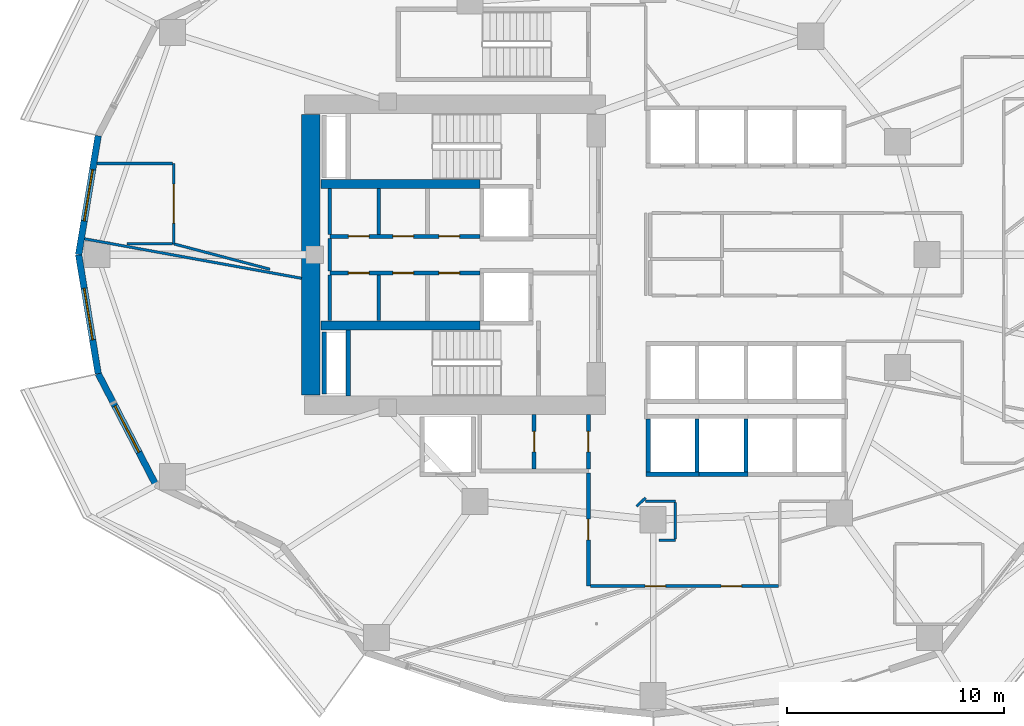
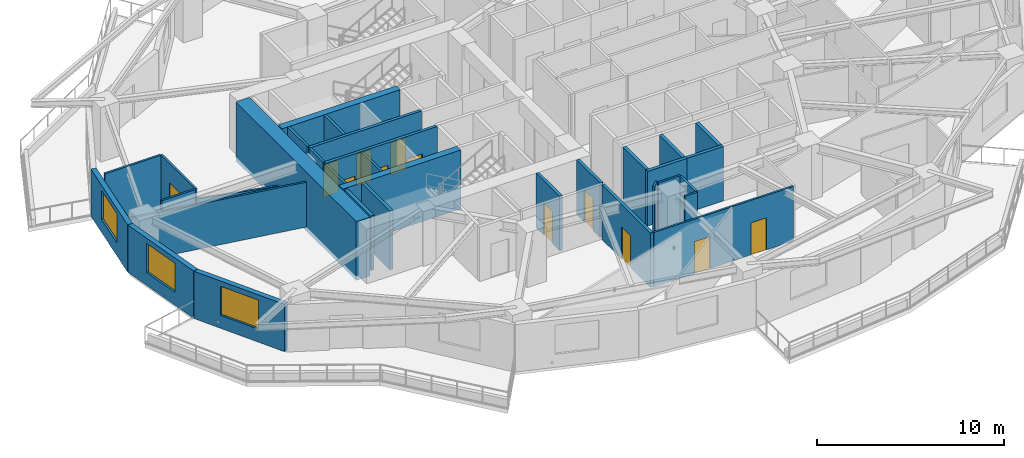
# One storey, part 3 of 15: 33 walls, 12 doors, 3 windows, 15 openings.
"""IFC4 building model written with IfcOpenShell, lengths in metres."""

from ifc_helpers import new_model, si_unit, direction, frame, frame_2d, origin, place, context, subcontext, project, spatial, rectangle, extrude, material, layer, layer_set, type_object, element, fill, save


model = new_model("IFC4")

# Units and contexts
model_context = context("Model", 3, precision=1e-05, world=origin(), true_north=direction((0.0, 1.0)))
body_context = subcontext(model_context, "Body", "Model", "MODEL_VIEW")
ifc_project = project(units=[si_unit("LENGTHUNIT", "METRE"), si_unit("AREAUNIT", "SQUARE_METRE"), si_unit("VOLUMEUNIT", "CUBIC_METRE"), si_unit("PLANEANGLEUNIT", "RADIAN"), si_unit("MASSUNIT", "GRAM", prefix="KILO")], contexts=[model_context])

# Site, building, storey
site_placement = place(None, origin())
site = spatial("IfcSite", under=ifc_project, at=site_placement, CompositionType="ELEMENT")
building_placement = place(site_placement, origin())
building = spatial("IfcBuilding", under=site, at=building_placement, Name="Kolvaren Gate Tower and Convention Centre", CompositionType="ELEMENT")
storey_placement = place(building_placement, frame((0.0, 0.0, 72.699951171875)))
storey = spatial("IfcBuildingStorey", under=building, at=storey_placement, Name="L17", CompositionType="ELEMENT", Elevation=72.699951171875)

# Wall, openings, doors
ifc_material_1 = material(Name="Autoclaved Aerated Masonry Blockwork Class 4 (4.0 MPa)", Category="masonry")
ifc_layer_1 = layer(ifc_material_1, 0.179931640625)
ifc_layer_set_1 = layer_set([ifc_layer_1], Name="Autoclaved Aerated Masonry Blockwork Class 4 (4.0 MPa)")
wall_type_1 = type_object("IfcWallType", Name="ARCH-WL-COMP-180", PredefinedType="SOLIDWALL", material=ifc_layer_set_1)
wall_1_placement = place(storey_placement, frame((15.25, 27.840087890625, 0.0), z_axis=(0.0, 0.0, 1.0), x_axis=(1.0, 0.0, 0.0)))
wall_1 = element("IfcWall", 1, at=wall_1_placement, inside=storey, type_object=wall_type_1, Name="Interior Partition WL-L17-INT-004", PredefinedType="SOLIDWALL", context=body_context, shape_type="SweptSolid", body=[
    extrude(rectangle(XDim=6.89990234375, YDim=0.179931640625, at=frame_2d((3.449951171875, 0.0))), origin(), (0.0, 0.0, 1.0), 3.570068359375),
])
opening_1_placement = place(wall_1_placement, frame((5.02001953125, 0.0, 0.0)))
opening_1 = element("IfcOpeningElement", 2, at=opening_1_placement, cuts=wall_1, Name="Opening DR-01", PredefinedType="OPENING", context=body_context, shape_type="SweptSolid", body=[
    extrude(rectangle(XDim=0.949951171875, YDim=2.10009765625, at=frame_2d((0.47509765625, 1.050048828125))), frame((0.0, 0.099853515625, 0.0), z_axis=(0.0, -1.0, 0.0), x_axis=(1.0, 0.0, 0.0)), (0.0, 0.0, 1.0), 0.199951171875),
])
opening_2_placement = place(wall_1_placement, frame((0.85498046875, 0.0, 0.0)))
opening_2 = element("IfcOpeningElement", 3, at=opening_2_placement, cuts=wall_1, Name="Opening DR-01", PredefinedType="OPENING", context=body_context, shape_type="SweptSolid", body=[
    extrude(rectangle(XDim=0.949951171875, YDim=2.10009765625, at=frame_2d((0.47509765625, 1.050048828125))), frame((0.0, 0.099853515625, 0.0), z_axis=(0.0, -1.0, 0.0), x_axis=(1.0, 0.0, 0.0)), (0.0, 0.0, 1.0), 0.199951171875),
])
opening_3_placement = place(wall_1_placement, frame((2.89990234375, 0.0, 0.0)))
opening_3 = element("IfcOpeningElement", 4, at=opening_3_placement, cuts=wall_1, Name="Opening DR-01", PredefinedType="OPENING", context=body_context, shape_type="SweptSolid", body=[
    extrude(rectangle(XDim=0.949951171875, YDim=2.10009765625, at=frame_2d((0.47509765625, 1.050048828125))), frame((0.0, 0.099853515625, 0.0), z_axis=(0.0, -1.0, 0.0), x_axis=(1.0, 0.0, 0.0)), (0.0, 0.0, 1.0), 0.199951171875),
])
ifc_material_2 = material(Name="Painted Architectural Steelwork ASTM A500 Grade C 345 MPa", Category="steel")
door_type_1 = type_object("IfcDoorType", Name="ARCH-DR-RISER-950", OperationType="SINGLE_SWING_RIGHT", PredefinedType="DOOR", material=ifc_material_2)
door_1_placement = place(opening_1_placement, origin())
door_1 = element("IfcDoor", 5, at=door_1_placement, inside=storey, type_object=door_type_1, Name="Electrical Switchgear Closet Door", OperationType="SINGLE_SWING_LEFT", OverallHeight=2.10009765625, OverallWidth=0.949951171875, PredefinedType="DOOR", context=body_context, shape_type="SweptSolid", body=[
    extrude(rectangle(XDim=0.949951171875, YDim=2.10009765625, at=frame_2d((0.47509765625, 1.050048828125))), frame((0.0, 0.02490234375, 0.0), z_axis=(0.0, -1.0, 0.0), x_axis=(1.0, 0.0, 0.0)), (0.0, 0.0, 1.0), 0.050048828125),
])
fill(opening_1, door_1)
door_2_placement = place(opening_2_placement, origin())
door_2 = element("IfcDoor", 6, at=door_2_placement, inside=storey, type_object=door_type_1, Name="Staff Accessible WC Door", OperationType="SINGLE_SWING_LEFT", OverallHeight=2.10009765625, OverallWidth=0.949951171875, PredefinedType="DOOR", context=body_context, shape_type="SweptSolid", body=[
    extrude(rectangle(XDim=0.949951171875, YDim=2.10009765625, at=frame_2d((0.47509765625, 1.050048828125))), frame((0.0, 0.02490234375, 0.0), z_axis=(0.0, -1.0, 0.0), x_axis=(1.0, 0.0, 0.0)), (0.0, 0.0, 1.0), 0.050048828125),
])
fill(opening_2, door_2)
door_3_placement = place(opening_3_placement, origin())
door_3 = element("IfcDoor", 7, at=door_3_placement, inside=storey, type_object=door_type_1, Name="Housekeeping Sink Closet Door", OperationType="SINGLE_SWING_RIGHT", OverallHeight=2.10009765625, OverallWidth=0.949951171875, PredefinedType="DOOR", context=body_context, shape_type="SweptSolid", body=[
    extrude(rectangle(XDim=0.949951171875, YDim=2.10009765625, at=frame_2d((0.47509765625, 1.050048828125))), frame((0.0, 0.02490234375, 0.0), z_axis=(0.0, -1.0, 0.0), x_axis=(1.0, 0.0, 0.0)), (0.0, 0.0, 1.0), 0.050048828125),
])
fill(opening_3, door_3)

wall_2_placement = place(storey_placement, frame((15.25, 26.159912109375, 0.0), z_axis=(0.0, 0.0, 1.0), x_axis=(1.0, 0.0, 0.0)))
wall_2 = element("IfcWall", 8, at=wall_2_placement, inside=storey, type_object=wall_type_1, Name="Interior Partition WL-L17-INT-005", PredefinedType="SOLIDWALL", context=body_context, shape_type="SweptSolid", body=[
    extrude(rectangle(XDim=6.89990234375, YDim=0.179931640625, at=frame_2d((3.449951171875, 0.0))), origin(), (0.0, 0.0, 1.0), 3.570068359375),
])
opening_4_placement = place(wall_2_placement, frame((5.02001953125, 0.0, 0.0)))
opening_4 = element("IfcOpeningElement", 9, at=opening_4_placement, cuts=wall_2, Name="Opening DR-01", PredefinedType="OPENING", context=body_context, shape_type="SweptSolid", body=[
    extrude(rectangle(XDim=0.949951171875, YDim=2.10009765625, at=frame_2d((0.47509765625, 1.050048828125))), frame((0.0, 0.099853515625, 0.0), z_axis=(0.0, -1.0, 0.0), x_axis=(1.0, 0.0, 0.0)), (0.0, 0.0, 1.0), 0.199951171875),
])
opening_5_placement = place(wall_2_placement, frame((0.85498046875, 0.0, 0.0)))
opening_5 = element("IfcOpeningElement", 10, at=opening_5_placement, cuts=wall_2, Name="Opening DR-01", PredefinedType="OPENING", context=body_context, shape_type="SweptSolid", body=[
    extrude(rectangle(XDim=0.949951171875, YDim=2.10009765625, at=frame_2d((0.47509765625, 1.050048828125))), frame((0.0, 0.099853515625, 0.0), z_axis=(0.0, -1.0, 0.0), x_axis=(1.0, 0.0, 0.0)), (0.0, 0.0, 1.0), 0.199951171875),
])
opening_6_placement = place(wall_2_placement, frame((2.89990234375, 0.0, 0.0)))
opening_6 = element("IfcOpeningElement", 11, at=opening_6_placement, cuts=wall_2, Name="Opening DR-01", PredefinedType="OPENING", context=body_context, shape_type="SweptSolid", body=[
    extrude(rectangle(XDim=0.949951171875, YDim=2.10009765625, at=frame_2d((0.47509765625, 1.050048828125))), frame((0.0, 0.099853515625, 0.0), z_axis=(0.0, -1.0, 0.0), x_axis=(1.0, 0.0, 0.0)), (0.0, 0.0, 1.0), 0.199951171875),
])
door_4_placement = place(opening_4_placement, origin())
door_4 = element("IfcDoor", 12, at=door_4_placement, inside=storey, type_object=door_type_1, Name="Domestic Water Meter Closet Door", OperationType="SINGLE_SWING_RIGHT", OverallHeight=2.10009765625, OverallWidth=0.949951171875, PredefinedType="DOOR", context=body_context, shape_type="SweptSolid", body=[
    extrude(rectangle(XDim=0.949951171875, YDim=2.10009765625, at=frame_2d((0.47509765625, 1.050048828125))), frame((0.0, 0.02490234375, 0.0), z_axis=(0.0, -1.0, 0.0), x_axis=(1.0, 0.0, 0.0)), (0.0, 0.0, 1.0), 0.050048828125),
])
fill(opening_4, door_4)
door_5_placement = place(opening_5_placement, origin())
door_5 = element("IfcDoor", 13, at=door_5_placement, inside=storey, type_object=door_type_1, Name="Beverage Service Pantry Door", OperationType="SINGLE_SWING_LEFT", OverallHeight=2.10009765625, OverallWidth=0.949951171875, PredefinedType="DOOR", context=body_context, shape_type="SweptSolid", body=[
    extrude(rectangle(XDim=0.949951171875, YDim=2.10009765625, at=frame_2d((0.47509765625, 1.050048828125))), frame((0.0, 0.02490234375, 0.0), z_axis=(0.0, -1.0, 0.0), x_axis=(1.0, 0.0, 0.0)), (0.0, 0.0, 1.0), 0.050048828125),
])
fill(opening_5, door_5)
door_6_placement = place(opening_6_placement, origin())
door_6 = element("IfcDoor", 14, at=door_6_placement, inside=storey, type_object=door_type_1, Name="Archive Supply Closet Door", OperationType="SINGLE_SWING_RIGHT", OverallHeight=2.10009765625, OverallWidth=0.949951171875, PredefinedType="DOOR", context=body_context, shape_type="SweptSolid", body=[
    extrude(rectangle(XDim=0.949951171875, YDim=2.10009765625, at=frame_2d((0.47509765625, 1.050048828125))), frame((0.0, 0.02490234375, 0.0), z_axis=(0.0, -1.0, 0.0), x_axis=(1.0, 0.0, 0.0)), (0.0, 0.0, 1.0), 0.050048828125),
])
fill(opening_6, door_6)

# Wall, opening, door
wall_3_placement = place(storey_placement, frame((24.64990234375, 17.14208984375, 0.0), z_axis=(0.0, 0.0, 1.0), x_axis=(0.0, 1.0, 0.0)))
wall_3 = element("IfcWall", 15, at=wall_3_placement, inside=storey, type_object=wall_type_1, Name="Interior Partition WL-L17-INT-013", PredefinedType="SOLIDWALL", context=body_context, shape_type="SweptSolid", body=[
    extrude(rectangle(XDim=2.505859375, YDim=0.179931640625, at=frame_2d((1.2529296875, 0.0))), origin(), (0.0, 0.0, 1.0), 3.570068359375),
])
opening_7_placement = place(wall_3_placement, frame((0.778076171875, 0.0, 0.0)))
opening_7 = element("IfcOpeningElement", 16, at=opening_7_placement, cuts=wall_3, Name="Opening DR-01", PredefinedType="OPENING", context=body_context, shape_type="SweptSolid", body=[
    extrude(rectangle(XDim=0.949951171875, YDim=2.10009765625, at=frame_2d((0.47509765625, 1.050048828125))), frame((0.0, 0.099853515625, 0.0), z_axis=(0.0, -1.0, 0.0), x_axis=(1.0, 0.0, 0.0)), (0.0, 0.0, 1.0), 0.199951171875),
])
door_7_placement = place(opening_7_placement, origin())
door_7 = element("IfcDoor", 17, at=door_7_placement, inside=storey, type_object=door_type_1, Name="West Valet Store Door", OperationType="SINGLE_SWING_LEFT", OverallHeight=2.10009765625, OverallWidth=0.949951171875, PredefinedType="DOOR", context=body_context, shape_type="SweptSolid", body=[
    extrude(rectangle(XDim=0.949951171875, YDim=2.10009765625, at=frame_2d((0.47509765625, 1.050048828125))), frame((0.0, 0.02490234375, 0.0), z_axis=(0.0, -1.0, 0.0), x_axis=(1.0, 0.0, 0.0)), (0.0, 0.0, 1.0), 0.050048828125),
])
fill(opening_7, door_7)

wall_4_placement = place(storey_placement, frame((27.14990234375, 11.75, 0.0), z_axis=(0.0, 0.0, 1.0), x_axis=(0.0, 1.0, 0.0)))
wall_4 = element("IfcWall", 18, at=wall_4_placement, inside=storey, type_object=wall_type_1, Name="Interior Partition WL-L17-INT-014", PredefinedType="SOLIDWALL", context=body_context, shape_type="SweptSolid", body=[
    extrude(rectangle(XDim=5.2080078125, YDim=0.179931640625, at=frame_2d((2.60400390625, 0.0))), origin(), (0.0, 0.0, 1.0), 3.570068359375),
])
opening_8_placement = place(wall_4_placement, frame((2.12890625, 0.0, 0.0)))
opening_8 = element("IfcOpeningElement", 19, at=opening_8_placement, cuts=wall_4, Name="Opening DR-01", PredefinedType="OPENING", context=body_context, shape_type="SweptSolid", body=[
    extrude(rectangle(XDim=0.949951171875, YDim=2.10009765625, at=frame_2d((0.47509765625, 1.050048828125))), frame((0.0, 0.099853515625, 0.0), z_axis=(0.0, -1.0, 0.0), x_axis=(1.0, 0.0, 0.0)), (0.0, 0.0, 1.0), 0.199951171875),
])
door_8_placement = place(opening_8_placement, origin())
door_8 = element("IfcDoor", 20, at=door_8_placement, inside=storey, type_object=door_type_1, Name="Open-Plan Office Suite Door", OperationType="SINGLE_SWING_RIGHT", OverallHeight=2.10009765625, OverallWidth=0.949951171875, PredefinedType="DOOR", context=body_context, shape_type="SweptSolid", body=[
    extrude(rectangle(XDim=0.949951171875, YDim=2.10009765625, at=frame_2d((0.47509765625, 1.050048828125))), frame((0.0, 0.02490234375, 0.0), z_axis=(0.0, -1.0, 0.0), x_axis=(1.0, 0.0, 0.0)), (0.0, 0.0, 1.0), 0.050048828125),
])
fill(opening_8, door_8)

wall_5_placement = place(storey_placement, frame((27.14990234375, 17.14208984375, 0.0), z_axis=(0.0, 0.0, 1.0), x_axis=(0.0, 1.0, 0.0)))
wall_5 = element("IfcWall", 21, at=wall_5_placement, inside=storey, type_object=wall_type_1, Name="Interior Partition WL-L17-INT-014 (2)", PredefinedType="SOLIDWALL", context=body_context, shape_type="SweptSolid", body=[
    extrude(rectangle(XDim=2.505859375, YDim=0.179931640625, at=frame_2d((1.2529296875, 0.0))), origin(), (0.0, 0.0, 1.0), 3.570068359375),
])
opening_9_placement = place(wall_5_placement, frame((0.778076171875, 0.0, 0.0)))
opening_9 = element("IfcOpeningElement", 22, at=opening_9_placement, cuts=wall_5, Name="Opening DR-01", PredefinedType="OPENING", context=body_context, shape_type="SweptSolid", body=[
    extrude(rectangle(XDim=0.949951171875, YDim=2.10009765625, at=frame_2d((0.47509765625, 1.050048828125))), frame((0.0, 0.099853515625, 0.0), z_axis=(0.0, -1.0, 0.0), x_axis=(1.0, 0.0, 0.0)), (0.0, 0.0, 1.0), 0.199951171875),
])
door_9_placement = place(opening_9_placement, origin())
door_9 = element("IfcDoor", 23, at=door_9_placement, inside=storey, type_object=door_type_1, Name="Metering Switch Room Door", OperationType="SINGLE_SWING_LEFT", OverallHeight=2.10009765625, OverallWidth=0.949951171875, PredefinedType="DOOR", context=body_context, shape_type="SweptSolid", body=[
    extrude(rectangle(XDim=0.949951171875, YDim=2.10009765625, at=frame_2d((0.47509765625, 1.050048828125))), frame((0.0, 0.02490234375, 0.0), z_axis=(0.0, -1.0, 0.0), x_axis=(1.0, 0.0, 0.0)), (0.0, 0.0, 1.0), 0.050048828125),
])
fill(opening_9, door_9)

# Wall
ifc_material_3 = material(Name="Fire-Rated Acoustic Gypsum Stud Partition", Category="gypsum")
ifc_layer_2 = layer(ifc_material_3, 0.1201171875)
ifc_layer_set_2 = layer_set([ifc_layer_2], Name="Fire-Rated Acoustic Gypsum Stud Partition")
wall_type_2 = type_object("IfcWallType", Name="ARCH-WL-PART-120", PredefinedType="PARTITIONING", material=ifc_layer_set_2)
wall_6_placement = place(storey_placement, frame((29.780029296875, 15.64990234375, 0.0), z_axis=(0.0, 0.0, 1.0), x_axis=(1.0, 0.0, 0.0)))
element("IfcWall", 24, at=wall_6_placement, inside=storey, type_object=wall_type_2, Name="Interior Partition WL-L17-INT-022", PredefinedType="PARTITIONING", context=body_context, shape_type="SweptSolid", body=[
    extrude(rectangle(XDim=1.369873046875, YDim=0.1201171875, at=frame_2d((0.68505859375, 0.0))), origin(), (0.0, 0.0, 1.0), 3.570068359375),
])

# Wall, openings, doors
wall_7_placement = place(storey_placement, frame((27.241943359375, 11.75, 0.0), z_axis=(0.0, 0.0, 1.0), x_axis=(1.0, 0.0, 0.0)))
wall_7 = element("IfcWall", 25, at=wall_7_placement, inside=storey, type_object=wall_type_2, Name="Interior Partition WL-L17-INT-025", PredefinedType="PARTITIONING", context=body_context, shape_type="SweptSolid", body=[
    extrude(rectangle(XDim=8.64599609375, YDim=0.1201171875, at=frame_2d((4.322998046875, 0.0))), origin(), (0.0, 0.0, 1.0), 3.570068359375),
])
opening_10_placement = place(wall_7_placement, frame((2.513916015625, 0.0, 0.0)))
opening_10 = element("IfcOpeningElement", 26, at=opening_10_placement, cuts=wall_7, Name="Opening DR-01", PredefinedType="OPENING", context=body_context, shape_type="SweptSolid", body=[
    extrude(rectangle(XDim=0.949951171875, YDim=2.10009765625, at=frame_2d((0.47509765625, 1.050048828125))), frame((0.0, 0.070068359375, 0.0), z_axis=(0.0, -1.0, 0.0), x_axis=(1.0, 0.0, 0.0)), (0.0, 0.0, 1.0), 0.14013671875),
])
opening_11_placement = place(wall_7_placement, frame((6.01123046875, 0.0, 0.0)))
opening_11 = element("IfcOpeningElement", 27, at=opening_11_placement, cuts=wall_7, Name="Opening DR-01", PredefinedType="OPENING", context=body_context, shape_type="SweptSolid", body=[
    extrude(rectangle(XDim=0.949951171875, YDim=2.10009765625, at=frame_2d((0.47509765625, 1.050048828125))), frame((0.0, 0.070068359375, 0.0), z_axis=(0.0, -1.0, 0.0), x_axis=(1.0, 0.0, 0.0)), (0.0, 0.0, 1.0), 0.14013671875),
])
door_10_placement = place(opening_10_placement, origin())
door_10 = element("IfcDoor", 28, at=door_10_placement, inside=storey, type_object=door_type_1, Name="Legal Chambers Cellular Office Door", OperationType="SINGLE_SWING_LEFT", OverallHeight=2.10009765625, OverallWidth=0.949951171875, PredefinedType="DOOR", context=body_context, shape_type="SweptSolid", body=[
    extrude(rectangle(XDim=0.949951171875, YDim=2.10009765625, at=frame_2d((0.47509765625, 1.050048828125))), frame((0.0, 0.02490234375, 0.0), z_axis=(0.0, -1.0, 0.0), x_axis=(1.0, 0.0, 0.0)), (0.0, 0.0, 1.0), 0.050048828125),
])
fill(opening_10, door_10)
door_11_placement = place(opening_11_placement, origin())
door_11 = element("IfcDoor", 29, at=door_11_placement, inside=storey, type_object=door_type_1, Name="Open-Plan Office Suite Door", OperationType="SINGLE_SWING_RIGHT", OverallHeight=2.10009765625, OverallWidth=0.949951171875, PredefinedType="DOOR", context=body_context, shape_type="SweptSolid", body=[
    extrude(rectangle(XDim=0.949951171875, YDim=2.10009765625, at=frame_2d((0.47509765625, 1.050048828125))), frame((0.0, 0.02490234375, 0.0), z_axis=(0.0, -1.0, 0.0), x_axis=(1.0, 0.0, 0.0)), (0.0, 0.0, 1.0), 0.050048828125),
])
fill(opening_11, door_11)

# Walls
wall_8_placement = place(storey_placement, frame((29.366943359375, 15.422119140625, 0.0), z_axis=(0.0, 0.0, 1.0), x_axis=(0.730667420492, 0.682733564893, 0.0)))
element("IfcWall", 30, at=wall_8_placement, inside=storey, type_object=wall_type_2, Name="Interior Partition WL-L17-INT-045", PredefinedType="PARTITIONING", context=body_context, shape_type="SweptSolid", body=[
    extrude(rectangle(XDim=0.5654296875, YDim=0.1201171875, at=frame_2d((0.28271484375, 0.0))), origin(), (0.0, 0.0, 1.0), 3.570068359375),
])
wall_9_placement = place(storey_placement, frame((30.39111328125, 13.85009765625, 0.0), z_axis=(0.0, 0.0, 1.0), x_axis=(1.0, 0.0, 0.0)))
element("IfcWall", 31, at=wall_9_placement, inside=storey, type_object=wall_type_2, Name="Interior Partition WL-L17-INT-046", PredefinedType="PARTITIONING", context=body_context, shape_type="SweptSolid", body=[
    extrude(rectangle(XDim=0.7587890625, YDim=0.1201171875, at=frame_2d((0.37939453125, 0.0))), origin(), (0.0, 0.0, 1.0), 3.570068359375),
])
wall_10_placement = place(storey_placement, frame((31.14990234375, 13.912109375, 0.0), z_axis=(0.0, 0.0, 1.0), x_axis=(0.0, 1.0, 0.0)))
element("IfcWall", 32, at=wall_10_placement, inside=storey, type_object=wall_type_2, Name="Interior Partition WL-L17-INT-047", PredefinedType="PARTITIONING", context=body_context, shape_type="SweptSolid", body=[
    extrude(rectangle(XDim=1.67578125, YDim=0.1201171875, at=frame_2d((0.837890625, 0.0))), origin(), (0.0, 0.0, 1.0), 3.570068359375),
])
wall_11_placement = place(storey_placement, frame((3.961669921875, 27.72998046875, 0.0), z_axis=(0.0, 0.0, 1.0), x_axis=(0.983849121981, -0.178999735131, 0.0)))
element("IfcWall", 33, at=wall_11_placement, inside=storey, type_object=wall_type_2, Name="Interior Partition WL-L17-INT-048", PredefinedType="PARTITIONING", context=body_context, shape_type="SweptSolid", body=[
    extrude(rectangle(XDim=10.150146484375, YDim=0.1201171875, at=frame_2d((5.0751953125, 0.0))), origin(), (0.0, 0.0, 1.0), 2.93408203125),
])
wall_12_placement = place(storey_placement, frame((8.06103515625, 27.5, 0.0), z_axis=(0.0, 0.0, 1.0), x_axis=(0.96688100249, -0.255227598475, 0.0)))
element("IfcWall", 34, at=wall_12_placement, inside=storey, type_object=wall_type_2, Name="Interior Partition WL-L17-INT-074", PredefinedType="PARTITIONING", context=body_context, shape_type="SweptSolid", body=[
    extrude(rectangle(XDim=4.58203125, YDim=0.1201171875, at=frame_2d((2.291015625, 0.0))), origin(), (0.0, 0.0, 1.0), 2.93408203125),
])

# Wall, opening, door
wall_13_placement = place(storey_placement, frame((8.06103515625, 27.5, 0.0), z_axis=(0.0, 0.0, 1.0), x_axis=(0.0, 1.0, 0.0)))
wall_13 = element("IfcWall", 35, at=wall_13_placement, inside=storey, type_object=wall_type_2, Name="Interior Partition WL-L17-INT-075", PredefinedType="PARTITIONING", context=body_context, shape_type="SweptSolid", body=[
    extrude(rectangle(XDim=3.699951171875, YDim=0.1201171875, at=frame_2d((1.85009765625, 0.0))), origin(), (0.0, 0.0, 1.0), 3.570068359375),
])
opening_12_placement = place(wall_13_placement, frame((0.949951171875, 0.0, 0.0)))
opening_12 = element("IfcOpeningElement", 36, at=opening_12_placement, cuts=wall_13, Name="Opening DH-01", PredefinedType="OPENING", context=body_context, shape_type="SweptSolid", body=[
    extrude(rectangle(XDim=1.800048828125, YDim=2.300048828125, at=frame_2d((0.89990234375, 1.14990234375))), frame((0.0, 0.070068359375, 0.0), z_axis=(0.0, -1.0, 0.0), x_axis=(1.0, 0.0, 0.0)), (0.0, 0.0, 1.0), 0.14013671875),
])
ifc_material_4 = material(Name="FSC Andean Oak Engineered Veneer Door Leaf", Category="wood")
door_type_2 = type_object("IfcDoorType", Name="ARCH-DR-HALL-1800", OperationType="DOUBLE_DOOR_SINGLE_SWING", PredefinedType="DOOR", material=ifc_material_4)
door_12_placement = place(opening_12_placement, origin())
door_12 = element("IfcDoor", 37, at=door_12_placement, inside=storey, type_object=door_type_2, Name="Consultation Meeting Room Door", OperationType="DOUBLE_DOOR_SINGLE_SWING", OverallHeight=2.300048828125, OverallWidth=1.800048828125, PredefinedType="DOOR", context=body_context, shape_type="SweptSolid", body=[
    extrude(rectangle(XDim=1.800048828125, YDim=2.300048828125, at=frame_2d((0.89990234375, 1.14990234375))), frame((0.0, 0.02490234375, 0.0), z_axis=(0.0, -1.0, 0.0), x_axis=(1.0, 0.0, 0.0)), (0.0, 0.0, 1.0), 0.050048828125),
])
fill(opening_12, door_12)

# Walls
wall_14_placement = place(storey_placement, frame((4.53271484375, 31.199951171875, 0.0), z_axis=(0.0, 0.0, 1.0), x_axis=(1.0, 0.0, 0.0)))
element("IfcWall", 38, at=wall_14_placement, inside=storey, type_object=wall_type_2, Name="Interior Partition WL-L17-INT-076", PredefinedType="PARTITIONING", context=body_context, shape_type="SweptSolid", body=[
    extrude(rectangle(XDim=3.46630859375, YDim=0.1201171875, at=frame_2d((1.733154296875, 0.0))), origin(), (0.0, 0.0, 1.0), 3.570068359375),
])
wall_15_placement = place(storey_placement, frame((5.907958984375, 27.5, 0.0), z_axis=(0.0, 0.0, 1.0), x_axis=(1.0, 0.0, 0.0)))
element("IfcWall", 39, at=wall_15_placement, inside=storey, type_object=wall_type_2, Name="Interior Partition WL-L17-INT-077", PredefinedType="PARTITIONING", context=body_context, shape_type="SweptSolid", body=[
    extrude(rectangle(XDim=2.091064453125, YDim=0.1201171875, at=frame_2d((1.04541015625, 0.0))), origin(), (0.0, 0.0, 1.0), 3.570068359375),
])
ifc_layer_3 = layer(ifc_material_1, 0.199951171875)
ifc_layer_set_3 = layer_set([ifc_layer_3], Name="Autoclaved Aerated Masonry Blockwork Class 4 (4.0 MPa)")
wall_type_3 = type_object("IfcWallType", Name="ARCH-WL-SHAFT-200", PredefinedType="SOLIDWALL", material=ifc_layer_set_3)
wall_16_placement = place(storey_placement, frame((29.800048828125, 16.89990234375, 0.0), z_axis=(0.0, 0.0, 1.0), x_axis=(1.0, 0.0, 0.0)))
element("IfcWall", 40, at=wall_16_placement, inside=storey, type_object=wall_type_3, Name="Elevator PL-05 L17 Fire Shaft Wall S", PredefinedType="SOLIDWALL", context=body_context, shape_type="SweptSolid", body=[
    extrude(rectangle(XDim=2.449951171875, YDim=0.199951171875, at=frame_2d((1.22509765625, 0.0))), origin(), (0.0, 0.0, 1.0), 3.570068359375),
])
for number, where, z_axis, x_axis, name in (
    (41, (29.89990234375, 17.010009765625, 0.0), (0.0, 0.0, 1.0), (0.0, 1.0, 0.0), "Elevator PL-05 L17 Fire Shaft Wall W"),
    (42, (32.14990234375, 17.010009765625, 0.0), (0.0, 0.0, 1.0), (0.0, 1.0, 0.0), "Elevator PL-05 L17 Fire Shaft Wall E"),
):
    element("IfcWall", number, at=place(storey_placement, frame(where, z_axis=z_axis, x_axis=x_axis)), inside=storey, type_object=wall_type_3, Name=name, PredefinedType="SOLIDWALL", context=body_context, shape_type="SweptSolid", body=[
        extrude(rectangle(XDim=2.429931640625, YDim=0.199951171875, at=frame_2d((1.21484375, 0.0))), origin(), (0.0, 0.0, 1.0), 3.570068359375),
    ])
wall_17_placement = place(storey_placement, frame((32.25, 16.89990234375, 0.0), z_axis=(0.0, 0.0, 1.0), x_axis=(1.0, 0.0, 0.0)))
element("IfcWall", 43, at=wall_17_placement, inside=storey, type_object=wall_type_3, Name="Elevator PL-06 L17 Fire Shaft Wall S", PredefinedType="SOLIDWALL", context=body_context, shape_type="SweptSolid", body=[
    extrude(rectangle(XDim=2.25, YDim=0.199951171875, at=frame_2d((1.125, 0.0))), origin(), (0.0, 0.0, 1.0), 3.570068359375),
])
wall_18_placement = place(storey_placement, frame((34.39990234375, 17.010009765625, 0.0), z_axis=(0.0, 0.0, 1.0), x_axis=(0.0, 1.0, 0.0)))
element("IfcWall", 44, at=wall_18_placement, inside=storey, type_object=wall_type_3, Name="Elevator PL-06 L17 Fire Shaft Wall E", PredefinedType="SOLIDWALL", context=body_context, shape_type="SweptSolid", body=[
    extrude(rectangle(XDim=2.429931640625, YDim=0.199951171875, at=frame_2d((1.21484375, 0.0))), origin(), (0.0, 0.0, 1.0), 3.570068359375),
])
wall_19_placement = place(storey_placement, frame((14.989990234375, 20.60009765625, 0.0), z_axis=(0.0, 0.0, 1.0), x_axis=(0.0, 1.0, 0.0)))
element("IfcWall", 45, at=wall_19_placement, inside=storey, type_object=wall_type_3, Name="Vertical Shaft MPR L17 EI-120 Enclosure Wall W", PredefinedType="SOLIDWALL", context=body_context, shape_type="SweptSolid", body=[
    extrude(rectangle(XDim=2.849853515625, YDim=0.199951171875, at=frame_2d((1.4248046875, 0.0))), origin(), (0.0, 0.0, 1.0), 3.570068359375),
])

# Wall, opening, window
ifc_material_5 = material(Name="Piedmont Cream Honed Limestone Cladding", Category="masonry")
ifc_layer_4 = layer(ifc_material_5, 0.300048828125)
ifc_layer_set_4 = layer_set([ifc_layer_4], Name="Piedmont Cream Honed Limestone Cladding")
wall_type_4 = type_object("IfcWallType", Name="ARCH-WL-STONE-300", PredefinedType="SOLIDWALL", material=ifc_layer_set_4)
wall_20_placement = place(storey_placement, frame((3.6875, 27.0, 0.0), z_axis=(0.0, 0.0, 1.0), x_axis=(0.162386212206, 0.986727276447, 0.0)))
wall_20 = element("IfcWall", 46, at=wall_20_placement, inside=storey, type_object=wall_type_4, Name="Tower L17 Honed Stone Spandrel Wall EW-11", PredefinedType="SOLIDWALL", context=body_context, shape_type="SweptSolid", body=[
    extrude(rectangle(XDim=5.5478515625, YDim=0.300048828125, at=frame_2d((2.77392578125, 0.0))), origin(), (0.0, 0.0, 1.0), 3.093017578125),
])
opening_13_placement = place(wall_20_placement, frame((1.573974609375, 0.0, 0.85009765625)))
opening_13 = element("IfcOpeningElement", 47, at=opening_13_placement, cuts=wall_20, Name="Opening W-01", PredefinedType="OPENING", context=body_context, shape_type="SweptSolid", body=[
    extrude(rectangle(XDim=2.39990234375, YDim=1.89990234375, at=frame_2d((1.199951171875, 0.949951171875))), frame((0.0, 0.159912109375, 0.0), z_axis=(0.0, -1.0, 0.0), x_axis=(1.0, 0.0, 0.0)), (0.0, 0.0, 1.0), 0.320068359375),
])
ifc_material_6 = material(Name="Low-E Triple Insulated Glazing Unit 44 mm", Category="glass")
window_type = type_object("IfcWindowType", Name="ARCH-WN-OFF-2400", PartitioningType="SINGLE_PANEL", PredefinedType="WINDOW", material=ifc_material_6)
window_1_placement = place(opening_13_placement, origin())
window_1 = element("IfcWindow", 48, at=window_1_placement, inside=storey, type_object=window_type, Name="Tower L17 Punched Stone Facade Window W-11", OverallHeight=1.89990234375, OverallWidth=2.39990234375, PartitioningType="SINGLE_PANEL", PredefinedType="WINDOW", context=body_context, shape_type="SweptSolid", body=[
    extrude(rectangle(XDim=2.39990234375, YDim=1.89990234375, at=frame_2d((1.199951171875, 0.949951171875))), frame((0.0, 0.030029296875, 0.0), z_axis=(0.0, -1.0, 0.0), x_axis=(1.0, 0.0, 0.0)), (0.0, 0.0, 1.0), 0.06005859375),
])
fill(opening_13, window_1)

wall_21_placement = place(storey_placement, frame((3.6875, 27.0, 0.0), z_axis=(0.0, 0.0, 1.0), x_axis=(0.162386212206, -0.986727276447, 0.0)))
wall_21 = element("IfcWall", 49, at=wall_21_placement, inside=storey, type_object=wall_type_4, Name="Tower L17 Honed Stone Spandrel Wall EW-12", PredefinedType="SOLIDWALL", context=body_context, shape_type="SweptSolid", body=[
    extrude(rectangle(XDim=5.5478515625, YDim=0.300048828125, at=frame_2d((2.77392578125, 0.0))), origin(), (0.0, 0.0, 1.0), 3.093017578125),
])
opening_14_placement = place(wall_21_placement, frame((1.573974609375, 0.0, 0.85009765625)))
opening_14 = element("IfcOpeningElement", 50, at=opening_14_placement, cuts=wall_21, Name="Opening W-01", PredefinedType="OPENING", context=body_context, shape_type="SweptSolid", body=[
    extrude(rectangle(XDim=2.39990234375, YDim=1.89990234375, at=frame_2d((1.199951171875, 0.949951171875))), frame((0.0, 0.159912109375, 0.0), z_axis=(0.0, -1.0, 0.0), x_axis=(1.0, 0.0, 0.0)), (0.0, 0.0, 1.0), 0.320068359375),
])
window_2_placement = place(opening_14_placement, origin())
window_2 = element("IfcWindow", 51, at=window_2_placement, inside=storey, type_object=window_type, Name="Tower L17 Punched Stone Facade Window W-12", OverallHeight=1.89990234375, OverallWidth=2.39990234375, PartitioningType="SINGLE_PANEL", PredefinedType="WINDOW", context=body_context, shape_type="SweptSolid", body=[
    extrude(rectangle(XDim=2.39990234375, YDim=1.89990234375, at=frame_2d((1.199951171875, 0.949951171875))), frame((0.0, 0.030029296875, 0.0), z_axis=(0.0, -1.0, 0.0), x_axis=(1.0, 0.0, 0.0)), (0.0, 0.0, 1.0), 0.06005859375),
])
fill(opening_14, window_2)

wall_22_placement = place(storey_placement, frame((4.58837890625, 21.52587890625, 0.0), z_axis=(0.0, 0.0, 1.0), x_axis=(0.459800981414, -0.888021991558, 0.0)))
wall_22 = element("IfcWall", 52, at=wall_22_placement, inside=storey, type_object=wall_type_4, Name="Tower L17 Honed Stone Spandrel Wall EW-13", PredefinedType="SOLIDWALL", context=body_context, shape_type="SweptSolid", body=[
    extrude(rectangle(XDim=5.744140625, YDim=0.300048828125, at=frame_2d((2.8720703125, 0.0))), origin(), (0.0, 0.0, 1.0), 3.093017578125),
])
opening_15_placement = place(wall_22_placement, frame((1.672119140625, 0.0, 0.85009765625)))
opening_15 = element("IfcOpeningElement", 53, at=opening_15_placement, cuts=wall_22, Name="Opening W-01", PredefinedType="OPENING", context=body_context, shape_type="SweptSolid", body=[
    extrude(rectangle(XDim=2.39990234375, YDim=1.89990234375, at=frame_2d((1.199951171875, 0.949951171875))), frame((0.0, 0.159912109375, 0.0), z_axis=(0.0, -1.0, 0.0), x_axis=(1.0, 0.0, 0.0)), (0.0, 0.0, 1.0), 0.320068359375),
])
window_3_placement = place(opening_15_placement, origin())
window_3 = element("IfcWindow", 54, at=window_3_placement, inside=storey, type_object=window_type, Name="Tower L17 Punched Stone Facade Window W-13", OverallHeight=1.89990234375, OverallWidth=2.39990234375, PartitioningType="SINGLE_PANEL", PredefinedType="WINDOW", context=body_context, shape_type="SweptSolid", body=[
    extrude(rectangle(XDim=2.39990234375, YDim=1.89990234375, at=frame_2d((1.199951171875, 0.949951171875))), frame((0.0, 0.030029296875, 0.0), z_axis=(0.0, -1.0, 0.0), x_axis=(1.0, 0.0, 0.0)), (0.0, 0.0, 1.0), 0.06005859375),
])
fill(opening_15, window_3)

# Walls
ifc_material_7 = material(Name="Moisture-Resistant Cement-Board Acoustic Partition", Category="gypsum")
ifc_layer_5 = layer(ifc_material_7, 0.14990234375)
ifc_layer_set_5 = layer_set([ifc_layer_5], Name="Moisture-Resistant Cement-Board Acoustic Partition")
wall_type_5 = type_object("IfcWallType", Name="ARCH-WL-WET-150", PredefinedType="PARTITIONING", material=ifc_layer_set_5)
wall_23_placement = place(storey_placement, frame((15.25, 23.9619140625, 0.0), z_axis=(0.0, 0.0, 1.0), x_axis=(0.0, 1.0, 0.0)))
element("IfcWall", 55, at=wall_23_placement, inside=storey, type_object=wall_type_5, Name="Interior Partition WL-L17-INT-006", PredefinedType="PARTITIONING", context=body_context, shape_type="SweptSolid", body=[
    extrude(rectangle(XDim=2.106201171875, YDim=0.14990234375, at=frame_2d((1.05322265625, 0.0))), origin(), (0.0, 0.0, 1.0), 3.570068359375),
])
wall_24_placement = place(storey_placement, frame((15.25, 26.251953125, 0.0), z_axis=(0.0, 0.0, 1.0), x_axis=(0.0, 1.0, 0.0)))
element("IfcWall", 56, at=wall_24_placement, inside=storey, type_object=wall_type_5, Name="Interior Partition WL-L17-INT-006 (2)", PredefinedType="PARTITIONING", context=body_context, shape_type="SweptSolid", body=[
    extrude(rectangle(XDim=1.49609375, YDim=0.14990234375, at=frame_2d((0.748046875, 0.0))), origin(), (0.0, 0.0, 1.0), 3.570068359375),
])
for number, where, z_axis, x_axis, name in (
    (57, (15.25, 27.931884765625, 0.0), (0.0, 0.0, 1.0), (0.0, 1.0, 0.0), "Interior Partition WL-L17-INT-006 (3)"),
    (58, (17.5, 23.9619140625, 0.0), (0.0, 0.0, 1.0), (0.0, 1.0, 0.0), "Interior Partition WL-L17-INT-009"),
    (59, (17.5, 27.931884765625, 0.0), (0.0, 0.0, 1.0), (0.0, 1.0, 0.0), "Interior Partition WL-L17-INT-010"),
):
    element("IfcWall", number, at=place(storey_placement, frame(where, z_axis=z_axis, x_axis=x_axis)), inside=storey, type_object=wall_type_5, Name=name, PredefinedType="PARTITIONING", context=body_context, shape_type="SweptSolid", body=[
        extrude(rectangle(XDim=2.106201171875, YDim=0.14990234375, at=frame_2d((1.05322265625, 0.0))), origin(), (0.0, 0.0, 1.0), 3.570068359375),
    ])
ifc_material_8 = material(Name="Concrete C50/60", Category="concrete")
ifc_layer_6 = layer(ifc_material_8, 0.419921875)
ifc_layer_set_6 = layer_set([ifc_layer_6], Name="Concrete C50/60")
wall_type_6 = type_object("IfcWallType", Name="STR-WL-CONV-420", PredefinedType="SHEAR", material=ifc_layer_set_6)
for number, where, z_axis, x_axis, name in (
    (60, (14.85009765625, 30.25, -0.280029296875), (0.0, 0.0, 1.0), (1.0, 0.0, 0.0), "Tower L17 Offset Core Shear Wall WN"),
    (61, (14.85009765625, 23.75, -0.280029296875), (0.0, 0.0, 1.0), (1.0, 0.0, 0.0), "Tower L17 Offset Core Shear Wall WS"),
):
    element("IfcWall", number, at=place(storey_placement, frame(where, z_axis=z_axis, x_axis=x_axis)), inside=storey, type_object=wall_type_6, Name=name, PredefinedType="SHEAR", context=body_context, shape_type="SweptSolid", body=[
        extrude(rectangle(XDim=7.2998046875, YDim=0.419921875, at=frame_2d((3.64990234375, 0.0))), origin(), (0.0, 0.0, 1.0), 3.85009765625),
    ])
ifc_material_9 = material(Name="Concrete C70/85", Category="concrete")
ifc_layer_7 = layer(ifc_material_9, 0.85009765625)
ifc_layer_set_7 = layer_set([ifc_layer_7], Name="Concrete C70/85")
wall_type_7 = type_object("IfcWallType", Name="STR-WL-CORE-850", PredefinedType="SHEAR", material=ifc_layer_set_7)
wall_25_placement = place(storey_placement, frame((14.375, 20.550048828125, -0.280029296875), z_axis=(0.0, 0.0, 1.0), x_axis=(0.0, 1.0, 0.0)))
element("IfcWall", 62, at=wall_25_placement, inside=storey, type_object=wall_type_7, Name="Tower L17 Offset Core Shear Wall W", PredefinedType="SHEAR", context=body_context, shape_type="SweptSolid", body=[
    extrude(rectangle(XDim=12.89990234375, YDim=0.85009765625, at=frame_2d((6.449951171875, 0.0))), origin(), (0.0, 0.0, 1.0), 3.85009765625),
])
ifc_layer_8 = layer(ifc_material_8, 0.199951171875)
ifc_layer_set_8 = layer_set([ifc_layer_8], Name="Concrete C50/60")
wall_type_8 = type_object("IfcWallType", Name="STR-WL-SHAFT-200", PredefinedType="SHEAR", material=ifc_layer_set_8)
wall_26_placement = place(storey_placement, frame((16.10009765625, 20.501953125, -0.280029296875), z_axis=(0.0, 0.0, 1.0), x_axis=(0.0, 1.0, 0.0)))
element("IfcWall", 63, at=wall_26_placement, inside=storey, type_object=wall_type_8, Name="Tower South Exit Stair ST-T2 L17 Structural Shear Enclosure Wall FAR", PredefinedType="SHEAR", context=body_context, shape_type="SweptSolid", body=[
    extrude(rectangle(XDim=3.0361328125, YDim=0.199951171875, at=frame_2d((1.51806640625, 0.0))), origin(), (0.0, 0.0, 1.0), 3.85009765625),
])

save(model, "model.ifc")
